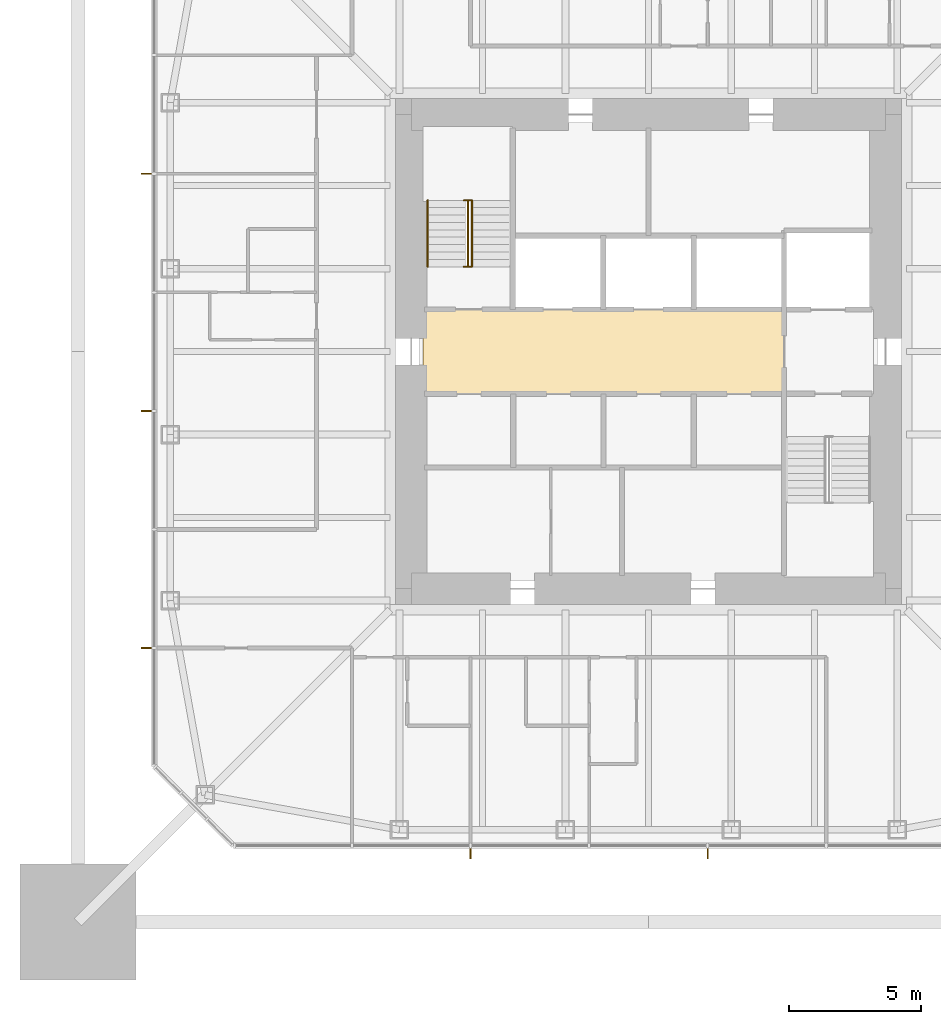
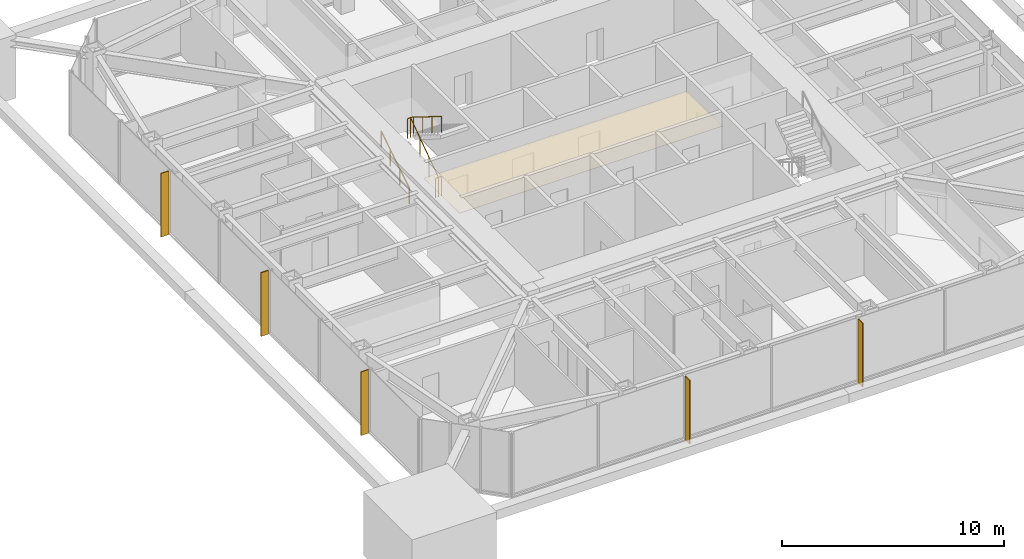
# One storey, part 11 of 13: 5 shading devices, 3 railings, 1 covering.
"""IFC4 building model written with IfcOpenShell, lengths in metres."""

from ifc_helpers import new_model, si_unit, direction, frame, origin, origin_2d, place, context, subcontext, project, spatial, polyline, rectangle, circle, outline, extrude, material, layer, layer_set, constituent, constituent_set, type_object, element, save


model = new_model("IFC4")

# Units and contexts
model_context = context("Model", 3, precision=1e-05, world=origin(), true_north=direction((0.0, 1.0)))
body_context = subcontext(model_context, "Body", "Model", "MODEL_VIEW")
ifc_project = project(units=[si_unit("LENGTHUNIT", "METRE"), si_unit("AREAUNIT", "SQUARE_METRE"), si_unit("VOLUMEUNIT", "CUBIC_METRE"), si_unit("PLANEANGLEUNIT", "RADIAN"), si_unit("MASSUNIT", "GRAM", prefix="KILO")], contexts=[model_context])

# Site, building, storey
site_placement = place(None, origin())
site = spatial("IfcSite", under=ifc_project, at=site_placement, CompositionType="ELEMENT")
building_placement = place(site_placement, origin())
building = spatial("IfcBuilding", under=site, at=building_placement, Name="Iwan Alto Co-Living Towers", CompositionType="ELEMENT")
storey_placement = place(building_placement, frame((0.0, 0.0, 191.5)))
storey = spatial("IfcBuildingStorey", under=building, at=storey_placement, Name="L52", CompositionType="ELEMENT", Elevation=191.5)

# Covering
ifc_material_1 = material(Name="Mineral fibre acoustic tiles on steel grid", Category="steel")
ifc_layer_1 = layer(ifc_material_1, 0.02001953125)
ifc_layer_set_1 = layer_set([ifc_layer_1], Name="ACOUSTIC TILE CEILING 20")
covering_type = type_object("IfcCoveringType", Name="ACOUSTIC TILE CEILING 20", PredefinedType="CEILING", material=ifc_layer_set_1)
covering_placement = place(storey_placement, frame((0.0, 0.0, 2.60009765625)))
element("IfcCovering", 1, at=covering_placement, inside=storey, type_object=covering_type, Name="Ceiling Lift lobby L52", PredefinedType="CEILING", context=body_context, shape_type="SweptSolid", body=[
    extrude(outline(polyline([(-8.550048828125, -1.60009765625), (-8.550048828125, 1.60009765625), (5.14990234375, 1.60009765625), (5.14990234375, -1.60009765625), (-8.550048828125, -1.60009765625)])), origin(), (0.0, 0.0, 1.0), 0.02001953125),
])

# Shading devices
ifc_material_2 = material(Name="Aluminium 6063-T6 bronze anodised", Category="aluminium")
ifc_layer_2 = layer(ifc_material_2, 0.050048828125)
ifc_layer_set_2 = layer_set([ifc_layer_2], Name="BRONZE FIN 50X400")
shading_device_type = type_object("IfcShadingDeviceType", Name="BRONZE FIN 50X400", PredefinedType="USERDEFINED", material=ifc_layer_set_2)
for number, where, z_axis, x_axis, name in (
    (2, (-6.75, -19.050048828125, 0.0), (0.0, 0.0, 1.0), (1.0, 0.0, 0.0), "Bronze fin L52"),
    (3, (2.25, -19.050048828125, 0.0), (0.0, 0.0, 1.0), (1.0, 0.0, 0.0), "Bronze fin L52"),
    (4, (-19.050048828125, 6.75, 0.0), (0.0, 0.0, 1.0), (0.0, -1.0, 0.0), "Bronze fin L52"),
    (5, (-19.050048828125, -2.25, 0.0), (0.0, 0.0, 1.0), (0.0, -1.0, 0.0), "Bronze fin L52"),
    (6, (-19.050048828125, -11.25, 0.0), (0.0, 0.0, 1.0), (0.0, -1.0, 0.0), "Bronze fin L52"),
):
    element("IfcShadingDevice", number, at=place(storey_placement, frame(where, z_axis=z_axis, x_axis=x_axis)), inside=storey, type_object=shading_device_type, Name=name, ObjectType="LOUVER", PredefinedType="USERDEFINED", context=body_context, shape_type="SweptSolid", body=[
        extrude(rectangle(XDim=0.050048828125, YDim=0.39990234375, at=origin_2d()), origin(), (0.0, 0.0, 1.0), 3.5),
    ])

# Railings
ifc_material_3 = material(Name="Steel ASTM A500 Gr C", Category="steel")
ifc_constituent_1 = constituent(ifc_material_3, Name="Rails and posts", Category="Framing")
ifc_material_4 = material(Name="Steel ASTM A36", Category="steel")
ifc_constituent_2 = constituent(ifc_material_4, Name="Bar infill", Category="Infill")
ifc_constituent_set = constituent_set(constituents=[ifc_constituent_1, ifc_constituent_2], Name="STAIR GUARD 1100")
railing_type_1 = type_object("IfcRailingType", Name="STAIR GUARD 1100", PredefinedType="GUARDRAIL", material=ifc_constituent_set)
railing_1_placement = place(storey_placement, frame((-6.85009765625, 3.219970703125, 0.0)))
element("IfcRailing", 7, at=railing_1_placement, inside=storey, type_object=railing_type_1, Name="Stair T1-S1 well guard L52", PredefinedType="GUARDRAIL", context=body_context, shape_type="SweptSolid", body=[
    extrude(circle(Radius=0.02392578125, at=origin_2d()), frame((0.0, 0.0, 1.076171875), z_axis=(0.0, 0.821372036852, 0.570392826987), x_axis=(-1.0, 0.0, 0.0)), (0.0, 0.0, 1.0), 3.068115234375),
    extrude(circle(Radius=0.02392578125, at=origin_2d()), frame((-0.14990234375, 0.0, 1.076171875), z_axis=(1.0, 0.0, 0.0), x_axis=(0.0, 1.0, 0.0)), (0.0, 0.0, 1.0), 0.300048828125),
    extrude(circle(Radius=0.02392578125, at=origin_2d()), frame((-0.14990234375, 2.52001953125, 2.826171875), z_axis=(1.0, 0.0, 0.0), x_axis=(0.0, 1.0, 0.0)), (0.0, 0.0, 1.0), 0.300048828125),
    extrude(circle(Radius=0.02099609375, at=origin_2d()), origin(), (0.0, 0.0, 1.0), 1.052001953125),
    extrude(circle(Radius=0.02099609375, at=origin_2d()), frame((0.0, 0.840087890625, 0.583251953125)), (0.0, 0.0, 1.0), 1.052001953125),
    extrude(circle(Radius=0.02099609375, at=origin_2d()), frame((0.0, 1.679931640625, 1.166748046875)), (0.0, 0.0, 1.0), 1.052001953125),
    extrude(circle(Radius=0.02099609375, at=origin_2d()), frame((0.0, 2.52001953125, 1.75)), (0.0, 0.0, 1.0), 1.052001953125),
    extrude(circle(Radius=0.02099609375, at=origin_2d()), frame((-0.14990234375, 0.0, 0.0)), (0.0, 0.0, 1.0), 1.052001953125),
    extrude(circle(Radius=0.02099609375, at=origin_2d()), frame((0.150146484375, 0.0, 0.0)), (0.0, 0.0, 1.0), 1.052001953125),
    extrude(circle(Radius=0.02099609375, at=origin_2d()), frame((-0.14990234375, 2.52001953125, 1.75)), (0.0, 0.0, 1.0), 1.052001953125),
    extrude(circle(Radius=0.02099609375, at=origin_2d()), frame((0.150146484375, 2.52001953125, 1.75)), (0.0, 0.0, 1.0), 1.052001953125),
])
ifc_material_5 = material(Name="Steel ASTM A500 Gr C", Category="steel")
railing_type_2 = type_object("IfcRailingType", Name="STAIR HANDRAIL 900", PredefinedType="HANDRAIL", material=ifc_material_5)
railing_2_placement = place(storey_placement, frame((-8.3798828125, 3.219970703125, 0.175048828125)))
element("IfcRailing", 8, at=railing_2_placement, inside=storey, type_object=railing_type_2, Name="Stair T1-S1 handrail 1 L52", PredefinedType="HANDRAIL", context=body_context, shape_type="SweptSolid", body=[
    extrude(circle(Radius=0.02392578125, at=origin_2d()), frame((0.0, 0.0, 0.8759765625), z_axis=(0.0, 0.848007534815, 0.529984170421), x_axis=(-1.0, 0.0, 0.0)), (0.0, 0.0, 1.0), 2.9716796875),
    extrude(circle(Radius=0.02099609375, at=origin_2d()), origin(), (0.0, 0.0, 1.0), 0.851806640625),
    extrude(circle(Radius=0.02099609375, at=origin_2d()), frame((0.0, 0.840087890625, 0.52490234375)), (0.0, 0.0, 1.0), 0.851806640625),
    extrude(circle(Radius=0.02099609375, at=origin_2d()), frame((0.0, 1.679931640625, 1.050048828125)), (0.0, 0.0, 1.0), 0.851806640625),
    extrude(circle(Radius=0.02099609375, at=origin_2d()), frame((0.0, 2.52001953125, 1.574951171875)), (0.0, 0.0, 1.0), 0.851806640625),
])
railing_3_placement = place(storey_placement, frame((-6.699951171875, 5.739990234375, 1.925048828125)))
element("IfcRailing", 9, at=railing_3_placement, inside=storey, type_object=railing_type_2, Name="Stair T1-S1 handrail 2 L52", PredefinedType="HANDRAIL", context=body_context, shape_type="SweptSolid", body=[
    extrude(circle(Radius=0.02392578125, at=origin_2d()), frame((0.0, 0.0, 0.8759765625), z_axis=(0.0, -0.848007534815, 0.529984170421), x_axis=(1.0, 0.0, 0.0)), (0.0, 0.0, 1.0), 2.9716796875),
    extrude(circle(Radius=0.02099609375, at=origin_2d()), origin(), (0.0, 0.0, 1.0), 0.851806640625),
    extrude(circle(Radius=0.02099609375, at=origin_2d()), frame((0.0, -0.840087890625, 0.52490234375)), (0.0, 0.0, 1.0), 0.851806640625),
    extrude(circle(Radius=0.02099609375, at=origin_2d()), frame((0.0, -1.679931640625, 1.050048828125)), (0.0, 0.0, 1.0), 0.851806640625),
    extrude(circle(Radius=0.02099609375, at=origin_2d()), frame((0.0, -2.52001953125, 1.574951171875)), (0.0, 0.0, 1.0), 0.851806640625),
])

save(model, "model.ifc")
